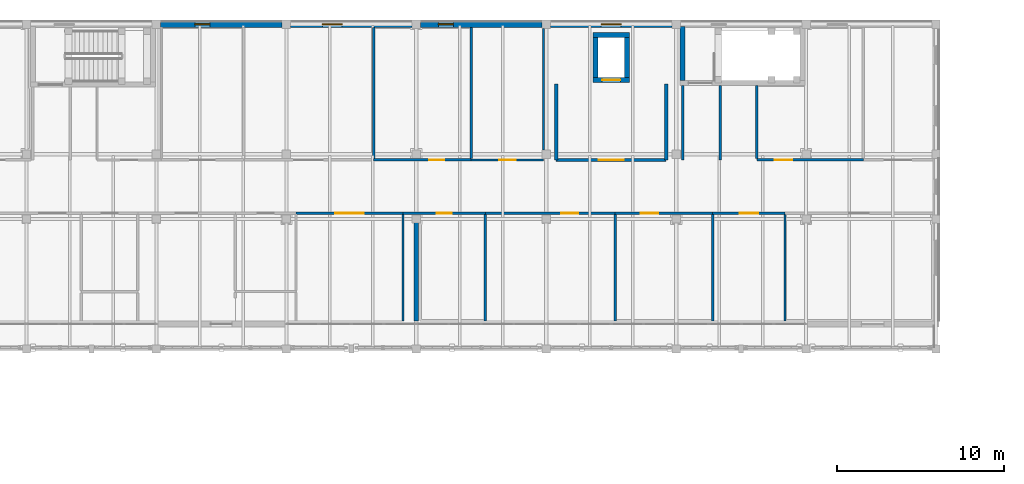
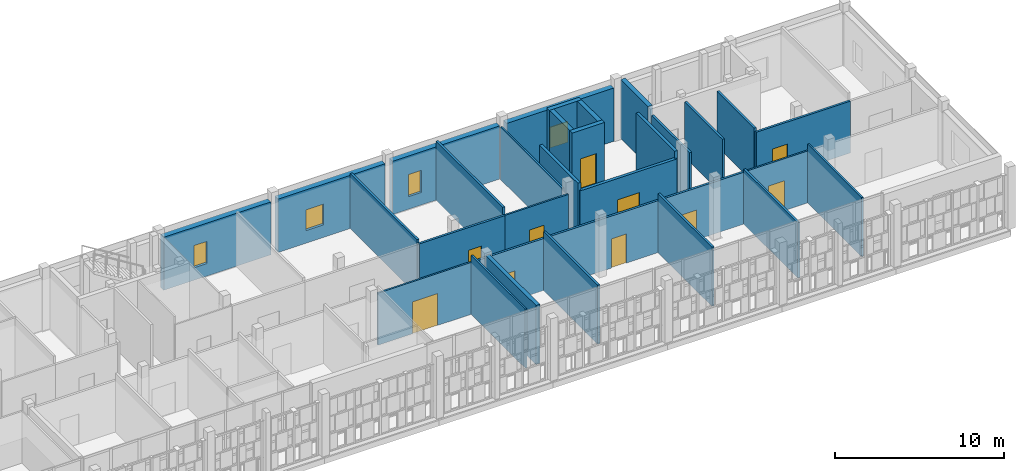
# One storey, part 71 of 89: 32 walls, 10 doors, 4 windows, 14 openings.
"""IFC4 building model written with IfcOpenShell, lengths in metres."""

from ifc_helpers import new_model, si_unit, direction, frame, frame_2d, origin, place, context, subcontext, project, spatial, rectangle, extrude, material, layer, layer_set, type_object, element, fill, save


model = new_model("IFC4")

# Units and contexts
model_context = context("Model", 3, precision=1e-05, world=origin(), true_north=direction((0.0, 1.0)))
body_context = subcontext(model_context, "Body", "Model", "MODEL_VIEW")
ifc_project = project(units=[si_unit("LENGTHUNIT", "METRE"), si_unit("AREAUNIT", "SQUARE_METRE"), si_unit("VOLUMEUNIT", "CUBIC_METRE"), si_unit("PLANEANGLEUNIT", "RADIAN"), si_unit("MASSUNIT", "GRAM", prefix="KILO")], contexts=[model_context])

# Site, building, storey
site_placement = place(None, origin())
site = spatial("IfcSite", under=ifc_project, at=site_placement, CompositionType="ELEMENT")
building_placement = place(site_placement, origin())
building = spatial("IfcBuilding", under=site, at=building_placement, Name="Celorna Specialist Clinic", CompositionType="ELEMENT")
storey_placement = place(building_placement, frame((0.0, 0.0, 14.10009765625)))
storey = spatial("IfcBuildingStorey", under=building, at=storey_placement, Name="L03", CompositionType="ELEMENT", Elevation=14.10009765625)

# Wall, opening, window
ifc_material_1 = material(Name="Terracotta masonry with insulated cavity", Category="masonry")
ifc_layer_1 = layer(ifc_material_1, 0.3798828125, Name="Terracotta masonry with insulated cavity")
ifc_layer_set_1 = layer_set([ifc_layer_1], Name="Terracotta masonry with insulated cavity")
wall_type_1 = type_object("IfcWallType", Name="WT-06", PredefinedType="STANDARD", material=ifc_layer_set_1)
wall_1_placement = place(storey_placement, frame((86.050048828125, 116.0, 0.0), z_axis=(0.0, 0.0, 1.0), x_axis=(1.0, 0.0, 0.0)))
wall_1 = element("IfcWall", 1, at=wall_1_placement, inside=storey, type_object=wall_type_1, Name="External facade wall WT-06 #262", PredefinedType="STANDARD", context=body_context, shape_type="SweptSolid", body=[
    extrude(rectangle(XDim=7.300048828125, YDim=0.3798828125, at=frame_2d((3.64990234375, 0.0))), origin(), (0.0, 0.0, 1.0), 3.81982421875),
])
opening_1_placement = place(wall_1_placement, frame((2.054931640625, 0.0, 0.89990234375)))
opening_1 = element("IfcOpeningElement", 2, at=opening_1_placement, cuts=wall_1, Name="Opening WN-01", PredefinedType="OPENING", context=body_context, shape_type="SweptSolid", body=[
    extrude(rectangle(XDim=0.89990234375, YDim=1.60009765625, at=frame_2d((0.449951171875, 0.800048828125))), frame((0.0, 0.199951171875, 0.0), z_axis=(0.0, -1.0, 0.0), x_axis=(1.0, 0.0, 0.0)), (0.0, 0.0, 1.0), 0.39990234375),
])
ifc_material_2 = material(Name="Thermally broken aluminium triple-glazed window", Category="aluminium")
window_type_1 = type_object("IfcWindowType", Name="WN-01", PartitioningType="SINGLE_PANEL", PredefinedType="WINDOW", material=ifc_material_2)
window_1_placement = place(opening_1_placement, origin())
window_1 = element("IfcWindow", 3, at=window_1_placement, inside=storey, type_object=window_type_1, Name="Facade window WN-01 #140", OverallHeight=1.60009765625, OverallWidth=0.89990234375, PartitioningType="SINGLE_PANEL", PredefinedType="WINDOW", context=body_context, shape_type="SweptSolid", body=[
    extrude(rectangle(XDim=0.89990234375, YDim=1.60009765625, at=frame_2d((0.449951171875, 0.800048828125))), frame((0.0, 0.030029296875, 0.0), z_axis=(0.0, -1.0, 0.0), x_axis=(1.0, 0.0, 0.0)), (0.0, 0.0, 1.0), 0.06005859375),
])
fill(opening_1, window_1)

wall_2_placement = place(storey_placement, frame((93.85009765625, 116.0, 0.0), z_axis=(0.0, 0.0, 1.0), x_axis=(1.0, 0.0, 0.0)))
wall_2 = element("IfcWall", 4, at=wall_2_placement, inside=storey, type_object=wall_type_1, Name="External facade wall WT-06 #263", PredefinedType="STANDARD", context=body_context, shape_type="SweptSolid", body=[
    extrude(rectangle(XDim=7.2998046875, YDim=0.3798828125, at=frame_2d((3.64990234375, 0.0))), origin(), (0.0, 0.0, 1.0), 3.83984375),
])
opening_2_placement = place(wall_2_placement, frame((1.905029296875, 0.0, 0.89990234375)))
opening_2 = element("IfcOpeningElement", 5, at=opening_2_placement, cuts=wall_2, Name="Opening WN-04", PredefinedType="OPENING", context=body_context, shape_type="SweptSolid", body=[
    extrude(rectangle(XDim=1.199951171875, YDim=1.5, at=frame_2d((0.60009765625, 0.75))), frame((0.0, 0.199951171875, 0.0), z_axis=(0.0, -1.0, 0.0), x_axis=(1.0, 0.0, 0.0)), (0.0, 0.0, 1.0), 0.39990234375),
])
window_type_2 = type_object("IfcWindowType", Name="WN-04", PartitioningType="SINGLE_PANEL", PredefinedType="WINDOW", material=ifc_material_2)
window_2_placement = place(opening_2_placement, origin())
window_2 = element("IfcWindow", 6, at=window_2_placement, inside=storey, type_object=window_type_2, Name="Facade window WN-04 #141", OverallHeight=1.5, OverallWidth=1.199951171875, PartitioningType="SINGLE_PANEL", PredefinedType="WINDOW", context=body_context, shape_type="SweptSolid", body=[
    extrude(rectangle(XDim=1.199951171875, YDim=1.5, at=frame_2d((0.60009765625, 0.75))), frame((0.0, 0.030029296875, 0.0), z_axis=(0.0, -1.0, 0.0), x_axis=(1.0, 0.0, 0.0)), (0.0, 0.0, 1.0), 0.06005859375),
])
fill(opening_2, window_2)

wall_3_placement = place(storey_placement, frame((101.64990234375, 116.0, 0.0), z_axis=(0.0, 0.0, 1.0), x_axis=(1.0, 0.0, 0.0)))
wall_3 = element("IfcWall", 7, at=wall_3_placement, inside=storey, type_object=wall_type_1, Name="External facade wall WT-06 #264", PredefinedType="STANDARD", context=body_context, shape_type="SweptSolid", body=[
    extrude(rectangle(XDim=7.300048828125, YDim=0.3798828125, at=frame_2d((3.64990234375, 0.0))), origin(), (0.0, 0.0, 1.0), 3.83984375),
])
opening_3_placement = place(wall_3_placement, frame((1.080078125, 0.0, 0.89990234375)))
opening_3 = element("IfcOpeningElement", 8, at=opening_3_placement, cuts=wall_3, Name="Opening WN-01", PredefinedType="OPENING", context=body_context, shape_type="SweptSolid", body=[
    extrude(rectangle(XDim=0.89990234375, YDim=1.60009765625, at=frame_2d((0.449951171875, 0.800048828125))), frame((0.0, 0.199951171875, 0.0), z_axis=(0.0, -1.0, 0.0), x_axis=(1.0, 0.0, 0.0)), (0.0, 0.0, 1.0), 0.39990234375),
])
window_3_placement = place(opening_3_placement, origin())
window_3 = element("IfcWindow", 9, at=window_3_placement, inside=storey, type_object=window_type_1, Name="Facade window WN-01 #142", OverallHeight=1.60009765625, OverallWidth=0.89990234375, PartitioningType="SINGLE_PANEL", PredefinedType="WINDOW", context=body_context, shape_type="SweptSolid", body=[
    extrude(rectangle(XDim=0.89990234375, YDim=1.60009765625, at=frame_2d((0.449951171875, 0.800048828125))), frame((0.0, 0.030029296875, 0.0), z_axis=(0.0, -1.0, 0.0), x_axis=(1.0, 0.0, 0.0)), (0.0, 0.0, 1.0), 0.06005859375),
])
fill(opening_3, window_3)

wall_4_placement = place(storey_placement, frame((109.449951171875, 116.0, 0.0), z_axis=(0.0, 0.0, 1.0), x_axis=(1.0, 0.0, 0.0)))
wall_4 = element("IfcWall", 10, at=wall_4_placement, inside=storey, type_object=wall_type_1, Name="External facade wall WT-06 #265", PredefinedType="STANDARD", context=body_context, shape_type="SweptSolid", body=[
    extrude(rectangle(XDim=7.300048828125, YDim=0.3798828125, at=frame_2d((3.64990234375, 0.0))), origin(), (0.0, 0.0, 1.0), 3.83984375),
])
opening_4_placement = place(wall_4_placement, frame((3.050048828125, 0.0, 0.89990234375)))
opening_4 = element("IfcOpeningElement", 11, at=opening_4_placement, cuts=wall_4, Name="Opening WN-04", PredefinedType="OPENING", context=body_context, shape_type="SweptSolid", body=[
    extrude(rectangle(XDim=1.199951171875, YDim=1.5, at=frame_2d((0.60009765625, 0.75))), frame((0.0, 0.199951171875, 0.0), z_axis=(0.0, -1.0, 0.0), x_axis=(1.0, 0.0, 0.0)), (0.0, 0.0, 1.0), 0.39990234375),
])
window_4_placement = place(opening_4_placement, origin())
window_4 = element("IfcWindow", 12, at=window_4_placement, inside=storey, type_object=window_type_2, Name="Facade window WN-04 #143", OverallHeight=1.5, OverallWidth=1.199951171875, PartitioningType="SINGLE_PANEL", PredefinedType="WINDOW", context=body_context, shape_type="SweptSolid", body=[
    extrude(rectangle(XDim=1.199951171875, YDim=1.5, at=frame_2d((0.60009765625, 0.75))), frame((0.0, 0.030029296875, 0.0), z_axis=(0.0, -1.0, 0.0), x_axis=(1.0, 0.0, 0.0)), (0.0, 0.0, 1.0), 0.06005859375),
])
fill(opening_4, window_4)

# Wall
ifc_material_3 = material(Name="Concrete C35/45", Category="concrete")
ifc_layer_2 = layer(ifc_material_3, 0.300048828125, Name="Concrete C35/45")
ifc_layer_set_2 = layer_set([ifc_layer_2], Name="Concrete C35/45")
wall_type_2 = type_object("IfcWallType", Name="WT-08", PredefinedType="SHEAR", material=ifc_layer_set_2)
wall_5_placement = place(storey_placement, frame((117.389892578125, 115.85009765625, 0.0), z_axis=(0.0, 0.0, 1.0), x_axis=(0.0, -1.0, 0.0)))
element("IfcWall", 13, at=wall_5_placement, inside=storey, type_object=wall_type_2, Name="Stair ST-03 RC core wall L03 west", PredefinedType="SHEAR", context=body_context, shape_type="SweptSolid", body=[
    extrude(rectangle(XDim=3.22998046875, YDim=0.300048828125, at=frame_2d((1.614990234375, 0.0))), origin(), (0.0, 0.0, 1.0), 4.260009765625),
])

# Wall, opening, door
wall_6_placement = place(storey_placement, frame((112.0, 112.64990234375, 0.0), z_axis=(0.0, 0.0, 1.0), x_axis=(1.0, 0.0, 0.0)))
wall_6 = element("IfcWall", 14, at=wall_6_placement, inside=storey, type_object=wall_type_2, Name="Lift LF-03 RC shaft wall L03", PredefinedType="SHEAR", context=body_context, shape_type="SweptSolid", body=[
    extrude(rectangle(XDim=2.199951171875, YDim=0.300048828125, at=frame_2d((1.10009765625, 0.0))), origin(), (0.0, 0.0, 1.0), 4.260009765625),
])
opening_5_placement = place(wall_6_placement, frame((0.550048828125, 0.0, 0.0)))
opening_5 = element("IfcOpeningElement", 15, at=opening_5_placement, cuts=wall_6, Name="Opening LD-01", PredefinedType="OPENING", context=body_context, shape_type="SweptSolid", body=[
    extrude(rectangle(XDim=1.10009765625, YDim=2.199951171875, at=frame_2d((0.550048828125, 1.10009765625))), frame((0.0, 0.159912109375, 0.0), z_axis=(0.0, -1.0, 0.0), x_axis=(1.0, 0.0, 0.0)), (0.0, 0.0, 1.0), 0.320068359375),
])
ifc_material_4 = material(Name="Stainless steel lift landing sliding door", Category="steel")
door_type_1 = type_object("IfcDoorType", Name="LD-01", OperationType="DOUBLE_DOOR_SLIDING", PredefinedType="DOOR", material=ifc_material_4)
door_1_placement = place(opening_5_placement, origin())
door_1 = element("IfcDoor", 16, at=door_1_placement, inside=storey, type_object=door_type_1, Name="Lift LF-03 sliding landing door L03", OperationType="DOUBLE_DOOR_SLIDING", OverallHeight=2.199951171875, OverallWidth=1.10009765625, PredefinedType="DOOR", context=body_context, shape_type="SweptSolid", body=[
    extrude(rectangle(XDim=1.10009765625, YDim=2.199951171875, at=frame_2d((0.550048828125, 1.10009765625))), frame((0.0, 0.02490234375, 0.0), z_axis=(0.0, -1.0, 0.0), x_axis=(1.0, 0.0, 0.0)), (0.0, 0.0, 1.0), 0.050048828125),
])
fill(opening_5, door_1)

# Walls
wall_7_placement = place(storey_placement, frame((114.199951171875, 115.35009765625, 0.0), z_axis=(0.0, 0.0, 1.0), x_axis=(-1.0, 0.0, 0.0)))
element("IfcWall", 17, at=wall_7_placement, inside=storey, type_object=wall_type_2, Name="Lift LF-03 RC shaft wall L03", PredefinedType="SHEAR", context=body_context, shape_type="SweptSolid", body=[
    extrude(rectangle(XDim=2.199951171875, YDim=0.300048828125, at=frame_2d((1.10009765625, 0.0))), origin(), (0.0, 0.0, 1.0), 4.260009765625),
])
for number, where, z_axis, x_axis, name in (
    (18, (112.14990234375, 115.199951171875, 0.0), (0.0, 0.0, 1.0), (0.0, -1.0, 0.0), "Lift LF-03 RC shaft wall L03"),
    (19, (114.050048828125, 112.800048828125, 0.0), (0.0, 0.0, 1.0), (0.0, 1.0, 0.0), "Lift LF-03 RC shaft wall L03"),
):
    element("IfcWall", number, at=place(storey_placement, frame(where, z_axis=z_axis, x_axis=x_axis)), inside=storey, type_object=wall_type_2, Name=name, PredefinedType="SHEAR", context=body_context, shape_type="SweptSolid", body=[
        extrude(rectangle(XDim=2.39990234375, YDim=0.300048828125, at=frame_2d((1.199951171875, 0.0))), origin(), (0.0, 0.0, 1.0), 4.260009765625),
    ])
ifc_layer_3 = layer(ifc_material_3, 0.260009765625, Name="Concrete C35/45")
ifc_layer_set_3 = layer_set([ifc_layer_3], Name="Concrete C35/45")
wall_type_3 = type_object("IfcWallType", Name="WT-10", PredefinedType="SHEAR", material=ifc_layer_set_3)
wall_8_placement = place(storey_placement, frame((101.39990234375, 98.18994140625, 0.0), z_axis=(0.0, 0.0, 1.0), x_axis=(0.0, 1.0, 0.0)))
element("IfcWall", 20, at=wall_8_placement, inside=storey, type_object=wall_type_3, Name="Structural RC shear wall WT-10 V4 L03", PredefinedType="SHEAR", context=body_context, shape_type="SweptSolid", body=[
    extrude(rectangle(XDim=5.9599609375, YDim=0.260009765625, at=frame_2d((2.97998046875, 0.0))), origin(), (0.0, 0.0, 1.0), 4.260009765625),
])

# Wall, opening, door
ifc_layer_4 = layer(ifc_material_3, 0.199951171875, Name="Concrete C35/45")
ifc_layer_set_4 = layer_set([ifc_layer_4], Name="Concrete C35/45")
wall_type_4 = type_object("IfcWallType", Name="WT-12", PredefinedType="SOLIDWALL", material=ifc_layer_set_4)
wall_9_placement = place(storey_placement, frame((109.800048828125, 107.85009765625, 0.0), z_axis=(0.0, 0.0, 1.0), x_axis=(1.0, 0.0, 0.0)))
wall_9 = element("IfcWall", 21, at=wall_9_placement, inside=storey, type_object=wall_type_4, Name="Lift lobby wall LF-03 L03", PredefinedType="SOLIDWALL", context=body_context, shape_type="SweptSolid", body=[
    extrude(rectangle(XDim=6.599853515625, YDim=0.199951171875, at=frame_2d((3.2998046875, 0.0))), origin(), (0.0, 0.0, 1.0), 3.739990234375),
])
opening_6_placement = place(wall_9_placement, frame((2.550048828125, 0.0, 0.0)))
opening_6 = element("IfcOpeningElement", 22, at=opening_6_placement, cuts=wall_9, Name="Opening DR-11", PredefinedType="OPENING", context=body_context, shape_type="SweptSolid", body=[
    extrude(rectangle(XDim=1.5, YDim=2.199951171875, at=frame_2d((0.75, 1.10009765625))), frame((0.0, 0.10986328125, 0.0), z_axis=(0.0, -1.0, 0.0), x_axis=(1.0, 0.0, 0.0)), (0.0, 0.0, 1.0), 0.219970703125),
])
ifc_material_5 = material(Name="Firefighting lobby double fire door")
door_type_2 = type_object("IfcDoorType", Name="DR-11", OperationType="DOUBLE_DOOR_SINGLE_SWING", PredefinedType="DOOR", material=ifc_material_5)
door_2_placement = place(opening_6_placement, origin())
door_2 = element("IfcDoor", 23, at=door_2_placement, inside=storey, type_object=door_type_2, Name="Lift lobby fire door LF-03 L03", OperationType="DOUBLE_DOOR_SINGLE_SWING", OverallHeight=2.199951171875, OverallWidth=1.5, PredefinedType="DOOR", context=body_context, shape_type="SweptSolid", body=[
    extrude(rectangle(XDim=1.5, YDim=2.199951171875, at=frame_2d((0.75, 1.10009765625))), frame((0.0, 0.02490234375, 0.0), z_axis=(0.0, -1.0, 0.0), x_axis=(1.0, 0.0, 0.0)), (0.0, 0.0, 1.0), 0.050048828125),
])
fill(opening_6, door_2)

# Walls
for number, where, z_axis, x_axis, name in (
    (24, (109.800048828125, 112.39990234375, 0.0), (0.0, 0.0, 1.0), (0.0, -1.0, 0.0), "Lift lobby wall LF-03 L03"),
    (25, (116.39990234375, 107.85009765625, 0.0), (0.0, 0.0, 1.0), (0.0, 1.0, 0.0), "Lift lobby wall LF-03 L03"),
):
    element("IfcWall", number, at=place(storey_placement, frame(where, z_axis=z_axis, x_axis=x_axis)), inside=storey, type_object=wall_type_4, Name=name, PredefinedType="SOLIDWALL", context=body_context, shape_type="SweptSolid", body=[
        extrude(rectangle(XDim=4.5498046875, YDim=0.199951171875, at=frame_2d((2.27490234375, 0.0))), origin(), (0.0, 0.0, 1.0), 4.260009765625),
    ])
ifc_material_6 = material(Name="Fire-rated gypsum board partition")
ifc_layer_5 = layer(ifc_material_6, 0.14990234375, Name="Fire-rated gypsum board partition")
ifc_layer_set_5 = layer_set([ifc_layer_5], Name="Fire-rated gypsum board partition")
wall_type_5 = type_object("IfcWallType", Name="WT-14", PredefinedType="PARTITIONING", material=ifc_layer_set_5)
wall_10_placement = place(storey_placement, frame((117.389892578125, 107.85009765625, 0.0), z_axis=(0.0, 0.0, 1.0), x_axis=(0.0, 1.0, 0.0)))
element("IfcWall", 26, at=wall_10_placement, inside=storey, type_object=wall_type_5, Name="Corridor spur partition WT-14", PredefinedType="PARTITIONING", context=body_context, shape_type="SweptSolid", body=[
    extrude(rectangle(XDim=4.469970703125, YDim=0.14990234375, at=frame_2d((2.23486328125, 0.0))), origin(), (0.0, 0.0, 1.0), 3.789794921875),
])
wall_11_placement = place(storey_placement, frame((119.639892578125, 107.85009765625, 0.0), z_axis=(0.0, 0.0, 1.0), x_axis=(0.0, 1.0, 0.0)))
element("IfcWall", 27, at=wall_11_placement, inside=storey, type_object=wall_type_5, Name="Corridor spur partition WT-14", PredefinedType="PARTITIONING", context=body_context, shape_type="SweptSolid", body=[
    extrude(rectangle(XDim=4.469970703125, YDim=0.14990234375, at=frame_2d((2.23486328125, 0.0))), origin(), (0.0, 0.0, 1.0), 3.969970703125),
])

# Wall, opening, door
wall_12_placement = place(storey_placement, frame((105.5400390625, 104.64990234375, 0.0), z_axis=(0.0, 0.0, 1.0), x_axis=(-1.0, 0.0, 0.0)))
wall_12 = element("IfcWall", 28, at=wall_12_placement, inside=storey, type_object=wall_type_5, Name="Interior partition WT-14 L03-022", PredefinedType="PARTITIONING", context=body_context, shape_type="SweptSolid", body=[
    extrude(rectangle(XDim=4.949951171875, YDim=0.14990234375, at=frame_2d((2.47509765625, 0.0))), origin(), (0.0, 0.0, 1.0), 3.739990234375),
])
opening_7_placement = place(wall_12_placement, frame((2.02490234375, 0.0, 0.0)))
opening_7 = element("IfcOpeningElement", 29, at=opening_7_placement, cuts=wall_12, Name="Opening DR-02", PredefinedType="OPENING", context=body_context, shape_type="SweptSolid", body=[
    extrude(rectangle(XDim=0.89990234375, YDim=2.10009765625, at=frame_2d((0.449951171875, 1.050048828125))), frame((0.0, 0.0849609375, 0.0), z_axis=(0.0, -1.0, 0.0), x_axis=(1.0, 0.0, 0.0)), (0.0, 0.0, 1.0), 0.169921875),
])
ifc_material_7 = material(Name="Timber acoustic clinical door", Category="wood")
door_type_3 = type_object("IfcDoorType", Name="DR-02", OperationType="NOTDEFINED", PredefinedType="DOOR", material=ifc_material_7)
door_3_placement = place(opening_7_placement, origin())
door_3 = element("IfcDoor", 30, at=door_3_placement, inside=storey, type_object=door_type_3, Name="Cardiology Echocardiography Clinic door L03-022", OperationType="SINGLE_SWING_RIGHT", OverallHeight=2.10009765625, OverallWidth=0.89990234375, PredefinedType="DOOR", context=body_context, shape_type="SweptSolid", body=[
    extrude(rectangle(XDim=0.89990234375, YDim=2.10009765625, at=frame_2d((0.449951171875, 1.050048828125))), frame((0.0, 0.02490234375, 0.0), z_axis=(0.0, -1.0, 0.0), x_axis=(1.0, 0.0, 0.0)), (0.0, 0.0, 1.0), 0.050048828125),
])
fill(opening_7, door_3)

wall_13_placement = place(storey_placement, frame((113.340087890625, 104.64990234375, 0.0), z_axis=(0.0, 0.0, 1.0), x_axis=(-1.0, 0.0, 0.0)))
wall_13 = element("IfcWall", 31, at=wall_13_placement, inside=storey, type_object=wall_type_5, Name="Interior partition WT-14 L03-023", PredefinedType="PARTITIONING", context=body_context, shape_type="SweptSolid", body=[
    extrude(rectangle(XDim=7.800048828125, YDim=0.14990234375, at=frame_2d((3.89990234375, 0.0))), origin(), (0.0, 0.0, 1.0), 3.739990234375),
])
opening_8_placement = place(wall_13_placement, frame((2.22998046875, 0.0, 0.0)))
opening_8 = element("IfcOpeningElement", 32, at=opening_8_placement, cuts=wall_13, Name="Opening DR-04", PredefinedType="OPENING", context=body_context, shape_type="SweptSolid", body=[
    extrude(rectangle(XDim=1.0, YDim=2.10009765625, at=frame_2d((0.5, 1.050048828125))), frame((0.0, 0.0849609375, 0.0), z_axis=(0.0, -1.0, 0.0), x_axis=(1.0, 0.0, 0.0)), (0.0, 0.0, 1.0), 0.169921875),
])
ifc_material_8 = material(Name="Timber consultation suite door", Category="wood")
door_type_4 = type_object("IfcDoorType", Name="DR-04", OperationType="NOTDEFINED", PredefinedType="DOOR", material=ifc_material_8)
door_4_placement = place(opening_8_placement, origin())
door_4 = element("IfcDoor", 33, at=door_4_placement, inside=storey, type_object=door_type_4, Name="Cardiac Treadmill Stress Testing Room door L03-023", OperationType="SINGLE_SWING_LEFT", OverallHeight=2.10009765625, OverallWidth=1.0, PredefinedType="DOOR", context=body_context, shape_type="SweptSolid", body=[
    extrude(rectangle(XDim=1.0, YDim=2.10009765625, at=frame_2d((0.5, 1.050048828125))), frame((0.0, 0.02490234375, 0.0), z_axis=(0.0, -1.0, 0.0), x_axis=(1.0, 0.0, 0.0)), (0.0, 0.0, 1.0), 0.050048828125),
])
fill(opening_8, door_4)

wall_14_placement = place(storey_placement, frame((119.18994140625, 104.64990234375, 0.0), z_axis=(0.0, 0.0, 1.0), x_axis=(-1.0, 0.0, 0.0)))
wall_14 = element("IfcWall", 34, at=wall_14_placement, inside=storey, type_object=wall_type_5, Name="Interior partition WT-14 L03-024", PredefinedType="PARTITIONING", context=body_context, shape_type="SweptSolid", body=[
    extrude(rectangle(XDim=5.849853515625, YDim=0.14990234375, at=frame_2d((2.9248046875, 0.0))), origin(), (0.0, 0.0, 1.0), 3.739990234375),
])
opening_9_placement = place(wall_14_placement, frame((3.277587890625, 0.0, 0.0)))
opening_9 = element("IfcOpeningElement", 35, at=opening_9_placement, cuts=wall_14, Name="Opening DR-05", PredefinedType="OPENING", context=body_context, shape_type="SweptSolid", body=[
    extrude(rectangle(XDim=1.050048828125, YDim=2.14990234375, at=frame_2d((0.52490234375, 1.074951171875))), frame((0.0, 0.0849609375, 0.0), z_axis=(0.0, -1.0, 0.0), x_axis=(1.0, 0.0, 0.0)), (0.0, 0.0, 1.0), 0.169921875),
])
ifc_material_9 = material(Name="Timber examination room door", Category="wood")
door_type_5 = type_object("IfcDoorType", Name="DR-05", OperationType="NOTDEFINED", PredefinedType="DOOR", material=ifc_material_9)
door_5_placement = place(opening_9_placement, origin())
door_5 = element("IfcDoor", 36, at=door_5_placement, inside=storey, type_object=door_type_5, Name="Neurology Electroencephalography Suite door L03-024", OperationType="SINGLE_SWING_RIGHT", OverallHeight=2.14990234375, OverallWidth=1.050048828125, PredefinedType="DOOR", context=body_context, shape_type="SweptSolid", body=[
    extrude(rectangle(XDim=1.050048828125, YDim=2.14990234375, at=frame_2d((0.52490234375, 1.074951171875))), frame((0.0, 0.02490234375, 0.0), z_axis=(0.0, -1.0, 0.0), x_axis=(1.0, 0.0, 0.0)), (0.0, 0.0, 1.0), 0.050048828125),
])
fill(opening_9, door_5)

wall_15_placement = place(storey_placement, frame((98.840087890625, 107.85009765625, 0.0), z_axis=(0.0, 0.0, 1.0), x_axis=(1.0, 0.0, 0.0)))
wall_15 = element("IfcWall", 37, at=wall_15_placement, inside=storey, type_object=wall_type_5, Name="Interior partition WT-14 L03-034", PredefinedType="PARTITIONING", context=body_context, shape_type="SweptSolid", body=[
    extrude(rectangle(XDim=5.849853515625, YDim=0.14990234375, at=frame_2d((2.9248046875, 0.0))), origin(), (0.0, 0.0, 1.0), 3.739990234375),
])
opening_10_placement = place(wall_15_placement, frame((3.3525390625, 0.0, 0.0)))
opening_10 = element("IfcOpeningElement", 38, at=opening_10_placement, cuts=wall_15, Name="Opening DR-02", PredefinedType="OPENING", context=body_context, shape_type="SweptSolid", body=[
    extrude(rectangle(XDim=0.89990234375, YDim=2.10009765625, at=frame_2d((0.449951171875, 1.050048828125))), frame((0.0, 0.0849609375, 0.0), z_axis=(0.0, -1.0, 0.0), x_axis=(1.0, 0.0, 0.0)), (0.0, 0.0, 1.0), 0.169921875),
])
door_6_placement = place(opening_10_placement, origin())
door_6 = element("IfcDoor", 39, at=door_6_placement, inside=storey, type_object=door_type_3, Name="Neurology Electroencephalography Suite door L03-034", OperationType="SINGLE_SWING_RIGHT", OverallHeight=2.10009765625, OverallWidth=0.89990234375, PredefinedType="DOOR", context=body_context, shape_type="SweptSolid", body=[
    extrude(rectangle(XDim=0.89990234375, YDim=2.10009765625, at=frame_2d((0.449951171875, 1.050048828125))), frame((0.0, 0.02490234375, 0.0), z_axis=(0.0, -1.0, 0.0), x_axis=(1.0, 0.0, 0.0)), (0.0, 0.0, 1.0), 0.050048828125),
])
fill(opening_10, door_6)

wall_16_placement = place(storey_placement, frame((121.840087890625, 107.85009765625, 0.0), z_axis=(0.0, 0.0, 1.0), x_axis=(1.0, 0.0, 0.0)))
wall_16 = element("IfcWall", 40, at=wall_16_placement, inside=storey, type_object=wall_type_5, Name="Interior partition WT-14 L03-036", PredefinedType="PARTITIONING", context=body_context, shape_type="SweptSolid", body=[
    extrude(rectangle(XDim=6.39990234375, YDim=0.14990234375, at=frame_2d((3.199951171875, 0.0))), origin(), (0.0, 0.0, 1.0), 3.739990234375),
])
opening_11_placement = place(wall_16_placement, frame((1.074951171875, 0.0, 0.0)))
opening_11 = element("IfcOpeningElement", 41, at=opening_11_placement, cuts=wall_16, Name="Opening DR-05", PredefinedType="OPENING", context=body_context, shape_type="SweptSolid", body=[
    extrude(rectangle(XDim=1.050048828125, YDim=2.14990234375, at=frame_2d((0.52490234375, 1.074951171875))), frame((0.0, 0.0849609375, 0.0), z_axis=(0.0, -1.0, 0.0), x_axis=(1.0, 0.0, 0.0)), (0.0, 0.0, 1.0), 0.169921875),
])
door_7_placement = place(opening_11_placement, origin())
door_7 = element("IfcDoor", 42, at=door_7_placement, inside=storey, type_object=door_type_5, Name="Consulting Room door L03-036", OperationType="SINGLE_SWING_RIGHT", OverallHeight=2.14990234375, OverallWidth=1.050048828125, PredefinedType="DOOR", context=body_context, shape_type="SweptSolid", body=[
    extrude(rectangle(XDim=1.050048828125, YDim=2.14990234375, at=frame_2d((0.52490234375, 1.074951171875))), frame((0.0, 0.02490234375, 0.0), z_axis=(0.0, -1.0, 0.0), x_axis=(1.0, 0.0, 0.0)), (0.0, 0.0, 1.0), 0.050048828125),
])
fill(opening_11, door_7)

# Walls
for number, where, z_axis, x_axis, name in (
    (43, (105.5400390625, 98.18994140625, 0.0), (0.0, 0.0, 1.0), (0.0, 1.0, 0.0), "Room dividing partition WT-14 L03-022"),
    (44, (113.340087890625, 98.18994140625, 0.0), (0.0, 0.0, 1.0), (0.0, 1.0, 0.0), "Room dividing partition WT-14 L03-023"),
):
    element("IfcWall", number, at=place(storey_placement, frame(where, z_axis=z_axis, x_axis=x_axis)), inside=storey, type_object=wall_type_5, Name=name, PredefinedType="PARTITIONING", context=body_context, shape_type="SweptSolid", body=[
        extrude(rectangle(XDim=6.385009765625, YDim=0.14990234375, at=frame_2d((3.1923828125, 0.0))), origin(), (0.0, 0.0, 1.0), 4.260009765625),
    ])
wall_17_placement = place(storey_placement, frame((119.18994140625, 98.18994140625, 0.0), z_axis=(0.0, 0.0, 1.0), x_axis=(0.0, 1.0, 0.0)))
element("IfcWall", 45, at=wall_17_placement, inside=storey, type_object=wall_type_5, Name="Room dividing partition WT-14 L03-024", PredefinedType="PARTITIONING", context=body_context, shape_type="SweptSolid", body=[
    extrude(rectangle(XDim=6.385009765625, YDim=0.14990234375, at=frame_2d((3.1923828125, 0.0))), origin(), (0.0, 0.0, 1.0), 3.969970703125),
])
wall_18_placement = place(storey_placement, frame((98.840087890625, 107.925048828125, 0.0), z_axis=(0.0, 0.0, 1.0), x_axis=(0.0, 1.0, 0.0)))
element("IfcWall", 46, at=wall_18_placement, inside=storey, type_object=wall_type_5, Name="Room dividing partition WT-14 L03-033", PredefinedType="PARTITIONING", context=body_context, shape_type="SweptSolid", body=[
    extrude(rectangle(XDim=7.885009765625, YDim=0.14990234375, at=frame_2d((3.9423828125, 0.0))), origin(), (0.0, 0.0, 1.0), 3.969970703125),
])
wall_19_placement = place(storey_placement, frame((104.68994140625, 107.925048828125, 0.0), z_axis=(0.0, 0.0, 1.0), x_axis=(0.0, 1.0, 0.0)))
element("IfcWall", 47, at=wall_19_placement, inside=storey, type_object=wall_type_5, Name="Room dividing partition WT-14 L03-034", PredefinedType="PARTITIONING", context=body_context, shape_type="SweptSolid", body=[
    extrude(rectangle(XDim=7.885009765625, YDim=0.14990234375, at=frame_2d((3.9423828125, 0.0))), origin(), (0.0, 0.0, 1.0), 4.260009765625),
])
wall_20_placement = place(storey_placement, frame((121.840087890625, 107.925048828125, 0.0), z_axis=(0.0, 0.0, 1.0), x_axis=(0.0, 1.0, 0.0)))
element("IfcWall", 48, at=wall_20_placement, inside=storey, type_object=wall_type_5, Name="Room dividing partition WT-14 L03-036", PredefinedType="PARTITIONING", context=body_context, shape_type="SweptSolid", body=[
    extrude(rectangle(XDim=4.39501953125, YDim=0.14990234375, at=frame_2d((2.197509765625, 0.0))), origin(), (0.0, 0.0, 1.0), 3.969970703125),
])

# Wall, opening, door
ifc_material_10 = material(Name="Acoustic gypsum board partition")
ifc_layer_6 = layer(ifc_material_10, 0.1201171875, Name="Acoustic gypsum board partition")
ifc_layer_set_6 = layer_set([ifc_layer_6], Name="Acoustic gypsum board partition")
wall_type_6 = type_object("IfcWallType", Name="WT-15", PredefinedType="PARTITIONING", material=ifc_layer_set_6)
wall_21_placement = place(storey_placement, frame((100.590087890625, 104.64990234375, 0.0), z_axis=(0.0, 0.0, 1.0), x_axis=(-1.0, 0.0, 0.0)))
wall_21 = element("IfcWall", 49, at=wall_21_placement, inside=storey, type_object=wall_type_6, Name="Interior partition WT-15 L03-021", PredefinedType="PARTITIONING", context=body_context, shape_type="SweptSolid", body=[
    extrude(rectangle(XDim=6.400146484375, YDim=0.1201171875, at=frame_2d((3.2001953125, 0.0))), origin(), (0.0, 0.0, 1.0), 3.739990234375),
])
opening_12_placement = place(wall_21_placement, frame((2.340087890625, 0.0, 0.0)))
opening_12 = element("IfcOpeningElement", 50, at=opening_12_placement, cuts=wall_21, Name="Opening DR-24", PredefinedType="OPENING", context=body_context, shape_type="SweptSolid", body=[
    extrude(rectangle(XDim=1.719970703125, YDim=2.300048828125, at=frame_2d((0.85986328125, 1.14990234375))), frame((0.0, 0.070068359375, 0.0), z_axis=(0.0, -1.0, 0.0), x_axis=(1.0, 0.0, 0.0)), (0.0, 0.0, 1.0), 0.14013671875),
])
ifc_material_11 = material(Name="Double leaf clinical waiting door")
door_type_6 = type_object("IfcDoorType", Name="DR-24", OperationType="DOUBLE_DOOR_SINGLE_SWING", PredefinedType="DOOR", material=ifc_material_11)
door_8_placement = place(opening_12_placement, origin())
door_8 = element("IfcDoor", 51, at=door_8_placement, inside=storey, type_object=door_type_6, Name="Electromyography Diagnostic Room door L03-021", OperationType="DOUBLE_DOOR_SINGLE_SWING", OverallHeight=2.300048828125, OverallWidth=1.719970703125, PredefinedType="DOOR", context=body_context, shape_type="SweptSolid", body=[
    extrude(rectangle(XDim=1.719970703125, YDim=2.300048828125, at=frame_2d((0.85986328125, 1.14990234375))), frame((0.0, 0.02490234375, 0.0), z_axis=(0.0, -1.0, 0.0), x_axis=(1.0, 0.0, 0.0)), (0.0, 0.0, 1.0), 0.050048828125),
])
fill(opening_12, door_8)

wall_22_placement = place(storey_placement, frame((123.5400390625, 104.64990234375, 0.0), z_axis=(0.0, 0.0, 1.0), x_axis=(-1.0, 0.0, 0.0)))
wall_22 = element("IfcWall", 52, at=wall_22_placement, inside=storey, type_object=wall_type_6, Name="Interior partition WT-15 L03-025", PredefinedType="PARTITIONING", context=body_context, shape_type="SweptSolid", body=[
    extrude(rectangle(XDim=4.35009765625, YDim=0.1201171875, at=frame_2d((2.175048828125, 0.0))), origin(), (0.0, 0.0, 1.0), 3.739990234375),
])
opening_13_placement = place(wall_22_placement, frame((1.625, 0.0, 0.0)))
opening_13 = element("IfcOpeningElement", 53, at=opening_13_placement, cuts=wall_22, Name="Opening DR-06", PredefinedType="OPENING", context=body_context, shape_type="SweptSolid", body=[
    extrude(rectangle(XDim=1.10009765625, YDim=2.14990234375, at=frame_2d((0.550048828125, 1.074951171875))), frame((0.0, 0.070068359375, 0.0), z_axis=(0.0, -1.0, 0.0), x_axis=(1.0, 0.0, 0.0)), (0.0, 0.0, 1.0), 0.14013671875),
])
ifc_material_12 = material(Name="Clinical treatment suite door")
door_type_7 = type_object("IfcDoorType", Name="DR-06", OperationType="NOTDEFINED", PredefinedType="DOOR", material=ifc_material_12)
door_9_placement = place(opening_13_placement, origin())
door_9 = element("IfcDoor", 54, at=door_9_placement, inside=storey, type_object=door_type_7, Name="Electromyography Diagnostic Room door L03-025", OperationType="SINGLE_SWING_LEFT", OverallHeight=2.14990234375, OverallWidth=1.10009765625, PredefinedType="DOOR", context=body_context, shape_type="SweptSolid", body=[
    extrude(rectangle(XDim=1.10009765625, YDim=2.14990234375, at=frame_2d((0.550048828125, 1.074951171875))), frame((0.0, 0.02490234375, 0.0), z_axis=(0.0, -1.0, 0.0), x_axis=(1.0, 0.0, 0.0)), (0.0, 0.0, 1.0), 0.050048828125),
])
fill(opening_13, door_9)

wall_23_placement = place(storey_placement, frame((104.68994140625, 107.85009765625, 0.0), z_axis=(0.0, 0.0, 1.0), x_axis=(1.0, 0.0, 0.0)))
wall_23 = element("IfcWall", 55, at=wall_23_placement, inside=storey, type_object=wall_type_6, Name="Interior partition WT-15 L03-035", PredefinedType="PARTITIONING", context=body_context, shape_type="SweptSolid", body=[
    extrude(rectangle(XDim=4.35009765625, YDim=0.1201171875, at=frame_2d((2.175048828125, 0.0))), origin(), (0.0, 0.0, 1.0), 3.739990234375),
])
opening_14_placement = place(wall_23_placement, frame((1.675048828125, 0.0, 0.0)))
opening_14 = element("IfcOpeningElement", 56, at=opening_14_placement, cuts=wall_23, Name="Opening DR-04", PredefinedType="OPENING", context=body_context, shape_type="SweptSolid", body=[
    extrude(rectangle(XDim=1.0, YDim=2.10009765625, at=frame_2d((0.5, 1.050048828125))), frame((0.0, 0.070068359375, 0.0), z_axis=(0.0, -1.0, 0.0), x_axis=(1.0, 0.0, 0.0)), (0.0, 0.0, 1.0), 0.14013671875),
])
door_10_placement = place(opening_14_placement, origin())
door_10 = element("IfcDoor", 57, at=door_10_placement, inside=storey, type_object=door_type_4, Name="Electromyography Diagnostic Room door L03-035", OperationType="SINGLE_SWING_LEFT", OverallHeight=2.10009765625, OverallWidth=1.0, PredefinedType="DOOR", context=body_context, shape_type="SweptSolid", body=[
    extrude(rectangle(XDim=1.0, YDim=2.10009765625, at=frame_2d((0.5, 1.050048828125))), frame((0.0, 0.02490234375, 0.0), z_axis=(0.0, -1.0, 0.0), x_axis=(1.0, 0.0, 0.0)), (0.0, 0.0, 1.0), 0.050048828125),
])
fill(opening_14, door_10)

# Walls
for number, where, z_axis, x_axis, name in (
    (58, (100.590087890625, 98.18994140625, 0.0), (0.0, 0.0, 1.0), (0.0, 1.0, 0.0), "Room dividing partition WT-15 L03-021"),
    (59, (123.5400390625, 98.18994140625, 0.0), (0.0, 0.0, 1.0), (0.0, 1.0, 0.0), "Room dividing partition WT-15 L03-025"),
):
    element("IfcWall", number, at=place(storey_placement, frame(where, z_axis=z_axis, x_axis=x_axis)), inside=storey, type_object=wall_type_6, Name=name, PredefinedType="PARTITIONING", context=body_context, shape_type="SweptSolid", body=[
        extrude(rectangle(XDim=6.385009765625, YDim=0.1201171875, at=frame_2d((3.1923828125, 0.0))), origin(), (0.0, 0.0, 1.0), 4.260009765625),
    ])
wall_24_placement = place(storey_placement, frame((109.0400390625, 108.449951171875, 0.0), z_axis=(0.0, 0.0, 1.0), x_axis=(0.0, 1.0, 0.0)))
element("IfcWall", 60, at=wall_24_placement, inside=storey, type_object=wall_type_6, Name="Room dividing partition WT-15 L03-035", PredefinedType="PARTITIONING", context=body_context, shape_type="SweptSolid", body=[
    extrude(rectangle(XDim=7.300048828125, YDim=0.1201171875, at=frame_2d((3.64990234375, 0.0))), origin(), (0.0, 0.0, 1.0), 3.789794921875),
])

save(model, "model.ifc")
